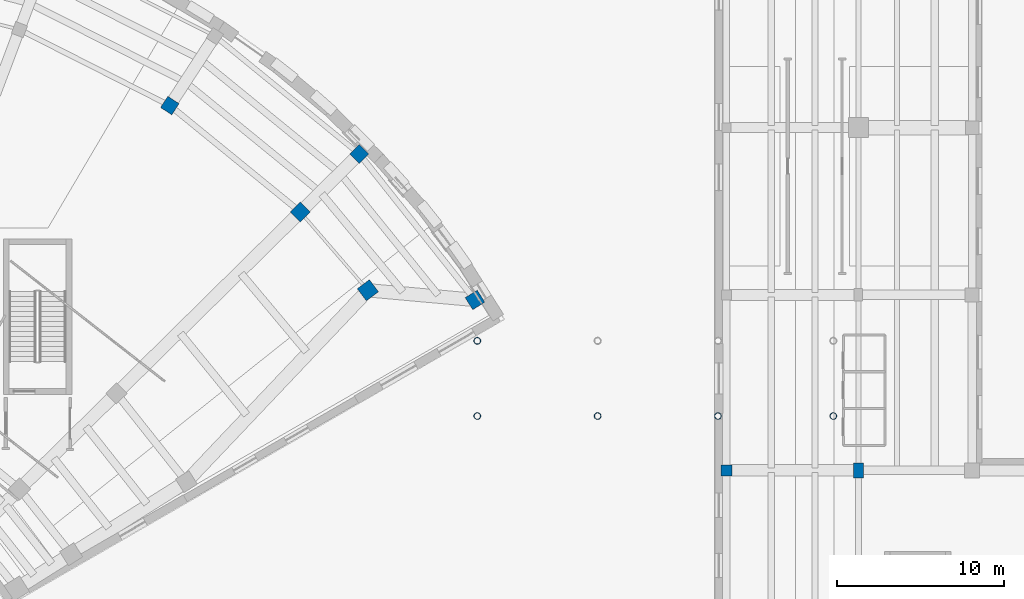
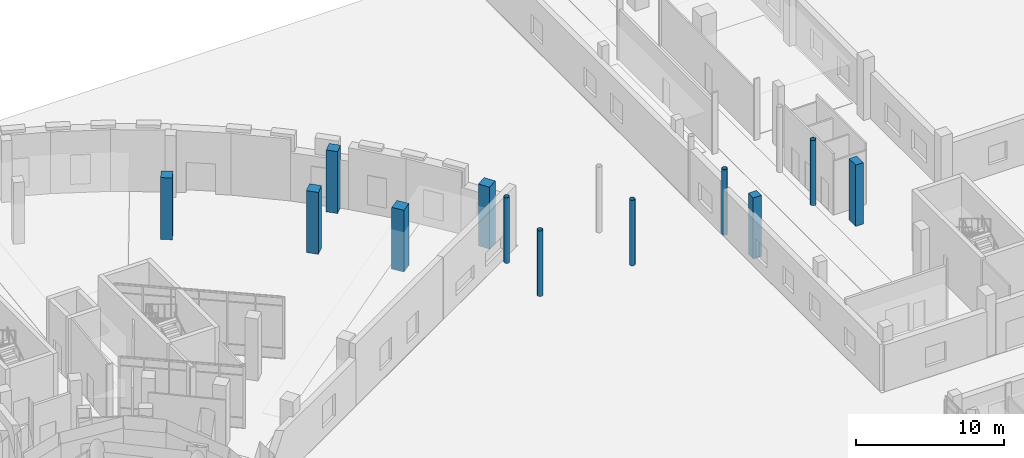
# One storey, part 7 of 74: 12 columns.
"""IFC4 building model written with IfcOpenShell, lengths in metres."""

from ifc_helpers import new_model, si_unit, direction, frame, origin, origin_2d, place, context, subcontext, project, spatial, rectangle, hollow_circle, extrude, material, material_profile, profile_set, type_object, element, save


model = new_model("IFC4")

# Units and contexts
model_context = context("Model", 3, precision=1e-05, world=origin(), true_north=direction((0.0, 1.0)))
body_context = subcontext(model_context, "Body", "Model", "MODEL_VIEW")
ifc_project = project(units=[si_unit("LENGTHUNIT", "METRE"), si_unit("AREAUNIT", "SQUARE_METRE"), si_unit("VOLUMEUNIT", "CUBIC_METRE"), si_unit("PLANEANGLEUNIT", "RADIAN"), si_unit("MASSUNIT", "GRAM", prefix="KILO")], contexts=[model_context])

# Site, building, storey
site_placement = place(None, origin())
site = spatial("IfcSite", under=ifc_project, at=site_placement, CompositionType="ELEMENT")
building_placement = place(site_placement, origin())
building = spatial("IfcBuilding", under=site, at=building_placement, Name="Soyqirgoq Riverine Aquarium", CompositionType="ELEMENT")
storey_placement = place(building_placement, origin())
storey = spatial("IfcBuildingStorey", under=building, at=storey_placement, Name="L01", CompositionType="ELEMENT", Elevation=0.0)

# Columns
ifc_material_1 = material(Name="Concrete C40/50", Category="concrete")
ifc_material_profile_1 = material_profile(ifc_material_1, rectangle(XDim=0.60009765625, YDim=0.89990234375, at=origin_2d()), Name="RC-COL 600x900")
ifc_profile_set_1 = profile_set([ifc_material_profile_1], Name="Concrete C40/50")
column_type_1 = type_object("IfcColumnType", Name="Col_RC_600x900", PredefinedType="COLUMN", material=ifc_profile_set_1)
column_1_placement = place(storey_placement, frame((122.60009765625, 74.300048828125, 0.0), z_axis=(0.0, 0.0, 1.0), x_axis=(1.0, 0.0, 0.0)))
element("IfcColumn", 1, at=column_1_placement, inside=storey, type_object=column_type_1, Name="V7 Column V7-C-10 L01", PredefinedType="COLUMN", context=body_context, shape_type="SweptSolid", body=[
    extrude(rectangle(XDim=0.60009765625, YDim=0.89990234375, at=origin_2d()), origin(), (0.0, 0.0, 1.0), 5.050048828125),
])
ifc_material_2 = material(Name="Concrete C40/50", Category="concrete")
ifc_material_profile_2 = material_profile(ifc_material_2, rectangle(XDim=0.64990234375, YDim=0.64990234375, at=origin_2d()), Name="RC 650x650")
ifc_profile_set_2 = profile_set([ifc_material_profile_2], Name="Concrete C40/50")
column_type_2 = type_object("IfcColumnType", Name="Col_RC_650x650", PredefinedType="COLUMN", material=ifc_profile_set_2)
column_2_placement = place(storey_placement, frame((114.699951171875, 74.300048828125, 0.0), z_axis=(0.0, 0.0, 1.0), x_axis=(1.0, 0.0, 0.0)))
element("IfcColumn", 2, at=column_2_placement, inside=storey, type_object=column_type_2, Name="V7 Column V7-C-03 L01", PredefinedType="COLUMN", context=body_context, shape_type="SweptSolid", body=[
    extrude(rectangle(XDim=0.64990234375, YDim=0.64990234375, at=origin_2d()), origin(), (0.0, 0.0, 1.0), 5.050048828125),
])
ifc_material_3 = material(Name="Concrete C40/50", Category="concrete")
ifc_material_profile_3 = material_profile(ifc_material_3, rectangle(XDim=0.800048828125, YDim=0.800048828125, at=origin_2d()), Name="RC 800x800")
ifc_profile_set_3 = profile_set([ifc_material_profile_3], Name="Concrete C40/50")
column_type_3 = type_object("IfcColumnType", Name="Col_RC_800x800", PredefinedType="COLUMN", material=ifc_profile_set_3)
for number, where, z_axis, x_axis, name in (
    (3, (92.740478515625, 93.231201171875, 0.0), (0.0, 0.0, 1.0), (0.712026045991, 0.702153052995, 0.0), "V5 Column V5-CR5-02 L01"),
    (4, (81.407470703125, 96.1240234375, 0.0), (0.0, 0.0, 1.0), (0.544639035015, 0.838670567945, 0.0), "V5 Column V5-CR4-03 L01"),
):
    element("IfcColumn", number, at=place(storey_placement, frame(where, z_axis=z_axis, x_axis=x_axis)), inside=storey, type_object=column_type_3, Name=name, PredefinedType="COLUMN", context=body_context, shape_type="SweptSolid", body=[
        extrude(rectangle(XDim=0.800048828125, YDim=0.800048828125, at=origin_2d()), origin(), (0.0, 0.0, 1.0), 5.10009765625),
    ])
ifc_material_4 = material(Name="Concrete C40/50", Category="concrete")
ifc_material_profile_4 = material_profile(ifc_material_4, rectangle(XDim=0.85009765625, YDim=0.85009765625, at=origin_2d()), Name="RC 850x850")
ifc_profile_set_4 = profile_set([ifc_material_profile_4], Name="Concrete C40/50")
column_type_4 = type_object("IfcColumnType", Name="Col_RC_850x850", PredefinedType="COLUMN", material=ifc_profile_set_4)
for number, where, z_axis, x_axis, name in (
    (5, (99.66357421875, 84.496337890625, 0.0), (0.0, 0.0, 1.0), (0.846193166128, 0.532876276071, 0.0), "V5 Column V5-CR5-01 L01"),
    (6, (89.216064453125, 89.75537109375, 0.0), (0.0, 0.0, 1.0), (0.712026045991, 0.702153052995, 0.0), "V5 Column V5-CR4-02 L01"),
):
    element("IfcColumn", number, at=place(storey_placement, frame(where, z_axis=z_axis, x_axis=x_axis)), inside=storey, type_object=column_type_4, Name=name, PredefinedType="COLUMN", context=body_context, shape_type="SweptSolid", body=[
        extrude(rectangle(XDim=0.85009765625, YDim=0.85009765625, at=origin_2d()), origin(), (0.0, 0.0, 1.0), 5.10009765625),
    ])
ifc_material_5 = material(Name="Concrete C40/50", Category="concrete")
ifc_material_profile_5 = material_profile(ifc_material_5, rectangle(XDim=0.89990234375, YDim=0.89990234375, at=origin_2d()), Name="RC 900x900")
ifc_profile_set_5 = profile_set([ifc_material_profile_5], Name="Concrete C40/50")
column_type_5 = type_object("IfcColumnType", Name="Col_RC_900x900", PredefinedType="COLUMN", material=ifc_profile_set_5)
column_3_placement = place(storey_placement, frame((93.25634765625, 85.07470703125, 0.0), z_axis=(0.0, 0.0, 1.0), x_axis=(0.798635510047, 0.601815023152, 0.0)))
element("IfcColumn", 7, at=column_3_placement, inside=storey, type_object=column_type_5, Name="V5 Column V5-CR4-01 L01", PredefinedType="COLUMN", context=body_context, shape_type="SweptSolid", body=[
    extrude(rectangle(XDim=0.89990234375, YDim=0.89990234375, at=origin_2d()), origin(), (0.0, 0.0, 1.0), 5.10009765625),
])
ifc_material_6 = material(Name="Structural steel S355", Category="steel")
ifc_material_profile_6 = material_profile(ifc_material_6, hollow_circle(Radius=0.203125, WallThickness=0.01611328125, at=origin_2d()), Name="CHS 406.4x16")
ifc_profile_set_6 = profile_set([ifc_material_profile_6], Name="Structural steel S355")
column_type_6 = type_object("IfcColumnType", Name="Col_Steel_CHS406", PredefinedType="COLUMN", material=ifc_profile_set_6)
for number, where, z_axis, x_axis, name in (
    (8, (99.800048828125, 77.550048828125, 0.0), (0.0, 0.0, 1.0), (1.0, 0.0, 0.0), "Bridge Pier Column BR-2-CP-99-S L01"),
    (9, (99.800048828125, 82.050048828125, 0.0), (0.0, 0.0, 1.0), (1.0, 0.0, 0.0), "Bridge Pier Column BR-2-CP-99-N L01"),
    (10, (107.0, 77.550048828125, 0.0), (0.0, 0.0, 1.0), (1.0, 0.0, 0.0), "Bridge Pier Column BR-2-CP-107-S L01"),
    (11, (114.199951171875, 77.550048828125, 0.0), (0.0, 0.0, 1.0), (1.0, 0.0, 0.0), "Bridge Pier Column BR-2-CP-114-S L01"),
    (12, (121.10009765625, 77.550048828125, 0.0), (0.0, 0.0, 1.0), (1.0, 0.0, 0.0), "Bridge Pier Column BR-2-CP-121-S L01"),
):
    element("IfcColumn", number, at=place(storey_placement, frame(where, z_axis=z_axis, x_axis=x_axis)), inside=storey, type_object=column_type_6, Name=name, PredefinedType="COLUMN", context=body_context, shape_type="SweptSolid", body=[
        extrude(hollow_circle(Radius=0.203125, WallThickness=0.01611328125, at=origin_2d()), origin(), (0.0, 0.0, 1.0), 5.39990234375),
    ])

save(model, "model.ifc")
